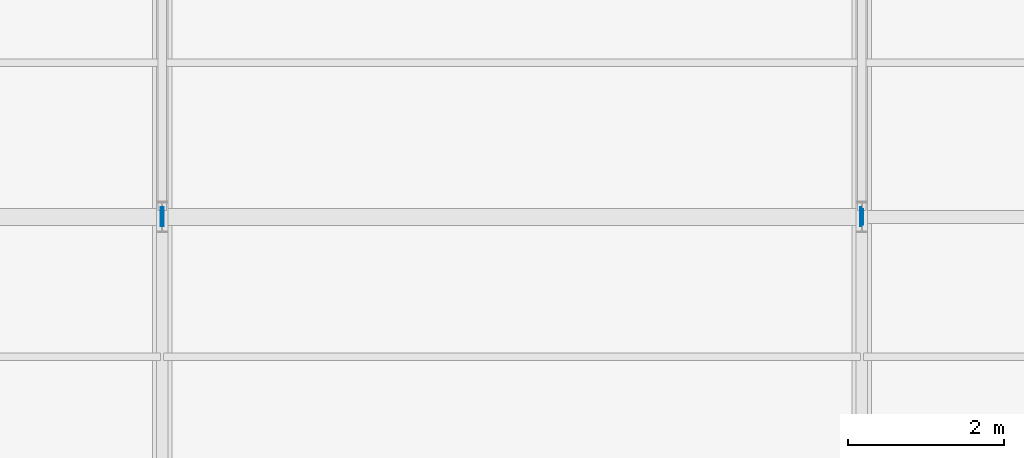
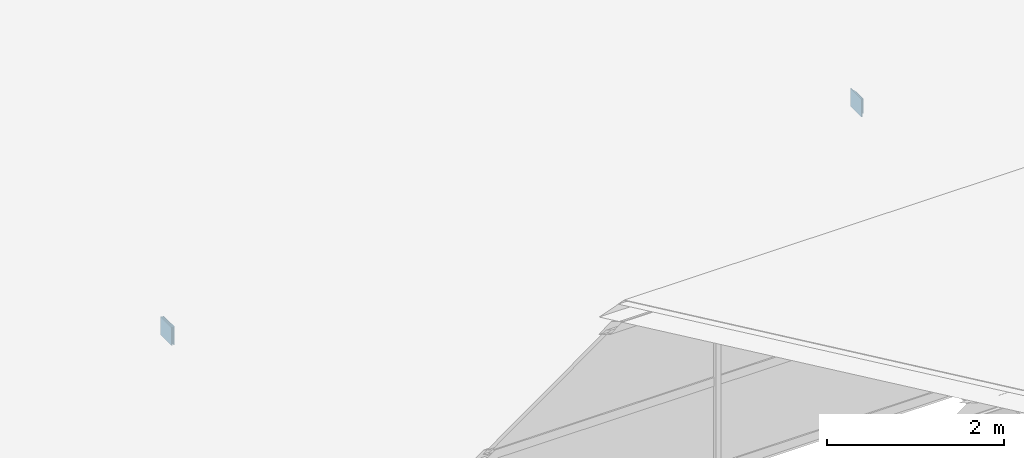
# One storey, part 131 of 163: 4 plates.
"""IFC4 building model written with IfcOpenShell, lengths in metres."""

from ifc_helpers import new_model, si_unit, direction, frame, origin, origin_2d, place, context, subcontext, project, spatial, rectangle, extrude, material, layer, layer_set, type_object, element, save


model = new_model("IFC4")

# Units and contexts
model_context = context("Model", 3, precision=1e-05, world=origin(), true_north=direction((0.0, 1.0)))
body_context = subcontext(model_context, "Body", "Model", "MODEL_VIEW")
ifc_project = project(units=[si_unit("LENGTHUNIT", "METRE"), si_unit("AREAUNIT", "SQUARE_METRE"), si_unit("VOLUMEUNIT", "CUBIC_METRE"), si_unit("PLANEANGLEUNIT", "RADIAN"), si_unit("MASSUNIT", "GRAM", prefix="KILO")], contexts=[model_context])

# Site, building, storey
site_placement = place(None, origin())
site = spatial("IfcSite", under=ifc_project, at=site_placement, CompositionType="ELEMENT")
building_placement = place(site_placement, origin())
building = spatial("IfcBuilding", under=site, at=building_placement, Name="Tharagai Park Tramway Depot", CompositionType="ELEMENT")
storey_placement = place(building_placement, frame((0.0, 0.0, 8.39990234375)))
storey = spatial("IfcBuildingStorey", under=building, at=storey_placement, Name="L02", CompositionType="ELEMENT", Elevation=8.39990234375)

# Plates
ifc_material = material(Name="Steel E350", Category="steel")
ifc_layer = layer(ifc_material, 0.011962890625)
ifc_layer_set = layer_set([ifc_layer], Name="Steel E350")
plate_type = type_object("IfcPlateType", Name="GP-04", PredefinedType="SHEET", material=ifc_layer_set)
for number, where, z_axis, x_axis, name in (
    (1, (53.986083984375, 112.5, 1.822021484375), (0.0, 0.0, 1.0), (1.0, 0.0, 0.0), "Tube End Cap Plate GP-04"),
    (2, (54.013916015625, 112.5, 1.822021484375), (0.0, 0.0, 1.0), (1.0, 0.0, 0.0), "Tube End Cap Plate GP-04"),
    (3, (62.986083984375, 112.5, 1.822021484375), (0.0, 0.0, 1.0), (1.0, 0.0, 0.0), "Tube End Cap Plate GP-04"),
):
    element("IfcPlate", number, at=place(storey_placement, frame(where, z_axis=z_axis, x_axis=x_axis)), inside=storey, type_object=plate_type, Name=name, PredefinedType="SHEET", context=body_context, shape_type="SweptSolid", body=[
        extrude(rectangle(XDim=0.011962890625, YDim=0.2490234375, at=origin_2d()), origin(), (0.0, 0.0, 1.0), 0.2490234375),
    ])
plate_placement = place(storey_placement, frame((63.013916015625, 112.5, 1.847412109375), z_axis=(0.0, 0.0, 1.0), x_axis=(1.0, 0.0, 0.0)))
element("IfcPlate", 4, at=plate_placement, inside=storey, type_object=plate_type, Name="Tube End Cap Plate GP-04", PredefinedType="SHEET", context=body_context, shape_type="SweptSolid", body=[
    extrude(rectangle(XDim=0.011962890625, YDim=0.1982421875, at=origin_2d()), origin(), (0.0, 0.0, 1.0), 0.1982421875),
])

save(model, "model.ifc")
